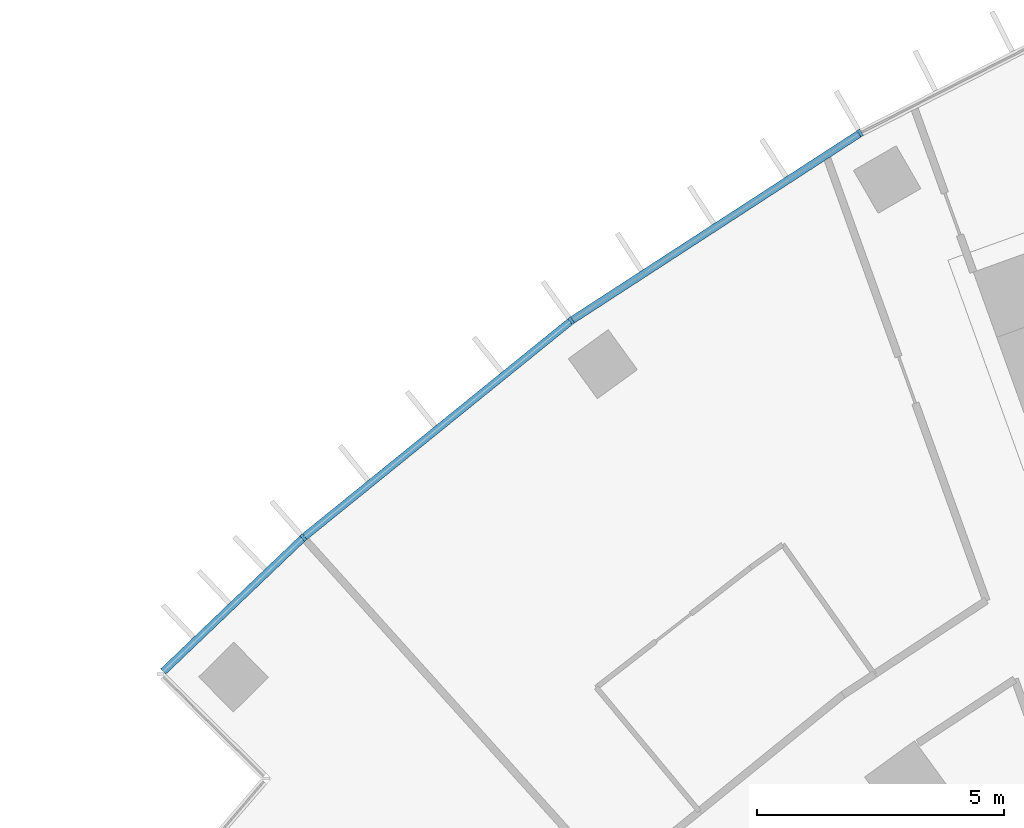
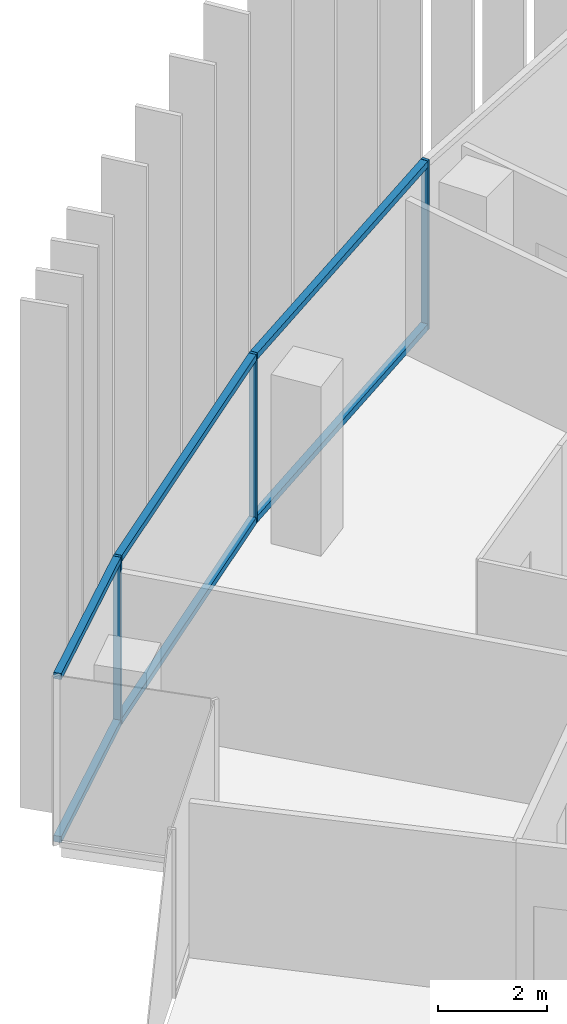
# One storey, part 4 of 23: 9 members, 1 element without a shape of its own.
"""IFC4 building model written with IfcOpenShell, lengths in metres."""

from ifc_helpers import new_model, si_unit, direction, frame, origin, origin_2d, place, context, subcontext, project, spatial, rectangle, extrude, material, layer, layer_set, material_profile, profile_set, type_object, element, aggregate, save


model = new_model("IFC4")

# Units and contexts
model_context = context("Model", 3, precision=1e-05, world=origin(), true_north=direction((0.0, 1.0)))
body_context = subcontext(model_context, "Body", "Model", "MODEL_VIEW")
ifc_project = project(units=[si_unit("LENGTHUNIT", "METRE"), si_unit("AREAUNIT", "SQUARE_METRE"), si_unit("VOLUMEUNIT", "CUBIC_METRE"), si_unit("PLANEANGLEUNIT", "RADIAN"), si_unit("MASSUNIT", "GRAM", prefix="KILO")], contexts=[model_context])

# Site, building, storey
site_placement = place(None, origin())
site = spatial("IfcSite", under=ifc_project, at=site_placement, CompositionType="ELEMENT")
building_placement = place(site_placement, origin())
building = spatial("IfcBuilding", under=site, at=building_placement, Name="Stone Belt Terrace Tower", CompositionType="ELEMENT")
storey_placement = place(building_placement, frame((0.0, 0.0, 166.800048828125)))
storey = spatial("IfcBuildingStorey", under=building, at=storey_placement, Name="L40", CompositionType="ELEMENT", Elevation=166.800048828125)

# Curtain wall, members
ifc_material = material(Name="Aluminium 6063-T6 anodised frame", Category="aluminium")
ifc_layer = layer(ifc_material, 0.14990234375)
ifc_layer_set = layer_set([ifc_layer], Name="CW-A unitised convex-face curtain wall")
curtain_wall_type = type_object("IfcCurtainWallType", Name="CW-A unitised convex-face curtain wall", PredefinedType="NOTDEFINED", material=ifc_layer_set)
curtain_wall_placement = place(storey_placement, origin())
curtain_wall = element("IfcCurtainWall", 1, at=curtain_wall_placement, inside=storey, type_object=curtain_wall_type, Name="CW-A convex face L40", PredefinedType="NOTDEFINED")
ifc_material_profile_1 = material_profile(ifc_material, rectangle(XDim=0.14990234375, YDim=0.06005859375, at=origin_2d()), Name="Aluminium 6063-T6 60x150")
ifc_profile_set_1 = profile_set([ifc_material_profile_1], Name="Aluminium 6063-T6 anodised frame")
member_type_1 = type_object("IfcMemberType", Name="CW-A mullion 60 x 150", PredefinedType="MULLION", material=ifc_profile_set_1)
member_1_placement = place(storey_placement, frame((-33.28759765625, 57.65576171875, 0.0), z_axis=(0.0, 0.0, 1.0), x_axis=(0.5, -0.866025403784, 0.0)))
member_1 = element("IfcMember", 2, at=member_1_placement, type_object=member_type_1, Name="CW-A mullion 14", PredefinedType="MULLION", context=body_context, shape_type="SweptSolid", body=[
    extrude(rectangle(XDim=0.14990234375, YDim=0.06005859375, at=origin_2d()), origin(), (0.0, 0.0, 1.0), 3.800048828125),
])
member_2_placement = place(storey_placement, frame((-39.1318359375, 53.8603515625, 0.0), z_axis=(0.0, 0.0, 1.0), x_axis=(0.587785252292, -0.809016994375, 0.0)))
member_2 = element("IfcMember", 3, at=member_2_placement, type_object=member_type_1, Name="CW-A mullion 15", PredefinedType="MULLION", context=body_context, shape_type="SweptSolid", body=[
    extrude(rectangle(XDim=0.14990234375, YDim=0.06005859375, at=origin_2d()), origin(), (0.0, 0.0, 1.0), 3.800048828125),
])
member_3_placement = place(storey_placement, frame((-44.546875, 49.4755859375, 0.0), z_axis=(0.0, 0.0, 1.0), x_axis=(0.660573481499, -0.75076139721, 0.0)))
member_3 = element("IfcMember", 4, at=member_3_placement, type_object=member_type_1, Name="CW-A mullion 16", PredefinedType="MULLION", context=body_context, shape_type="SweptSolid", body=[
    extrude(rectangle(XDim=0.14990234375, YDim=0.06005859375, at=origin_2d()), origin(), (0.0, 0.0, 1.0), 3.800048828125),
])
ifc_material_profile_2 = material_profile(ifc_material, rectangle(XDim=0.14990234375, YDim=0.139892578125, at=origin_2d()), Name="Aluminium 6063-T6 150x140")
ifc_profile_set_2 = profile_set([ifc_material_profile_2], Name="Aluminium 6063-T6 anodised frame")
member_type_2 = type_object("IfcMemberType", Name="CW-A transom 140 x 150", PredefinedType="USERDEFINED", material=ifc_profile_set_2)
member_4_placement = place(storey_placement, frame((-33.31591796875, 57.63720703125, 0.070068359375), z_axis=(-0.83868440714, -0.544617723931, 0.0), x_axis=(0.544617723931, -0.83868440714, 0.0)))
member_4 = element("IfcMember", 5, at=member_4_placement, type_object=member_type_2, Name="CW-A transom 14.1", ObjectType="TRANSOM", PredefinedType="USERDEFINED", context=body_context, shape_type="SweptSolid", body=[
    extrude(rectangle(XDim=0.14990234375, YDim=0.139892578125, at=origin_2d()), origin(), (0.0, 0.0, 1.0), 6.90087890625),
])
member_5_placement = place(storey_placement, frame((-33.31591796875, 57.63720703125, 3.72998046875), z_axis=(-0.83868440714, -0.544617723931, 0.0), x_axis=(0.544617723931, -0.83868440714, 0.0)))
member_5 = element("IfcMember", 6, at=member_5_placement, type_object=member_type_2, Name="CW-A transom 14.2", ObjectType="TRANSOM", PredefinedType="USERDEFINED", context=body_context, shape_type="SweptSolid", body=[
    extrude(rectangle(XDim=0.14990234375, YDim=0.139892578125, at=origin_2d()), origin(), (0.0, 0.0, 1.0), 6.90087890625),
])
member_6_placement = place(storey_placement, frame((-39.158203125, 53.839111328125, 0.070068359375), z_axis=(-0.777141048626, -0.629326457842, 0.0), x_axis=(0.629326457842, -0.777141048626, 0.0)))
member_6 = element("IfcMember", 7, at=member_6_placement, type_object=member_type_2, Name="CW-A transom 15.1", ObjectType="TRANSOM", PredefinedType="USERDEFINED", context=body_context, shape_type="SweptSolid", body=[
    extrude(rectangle(XDim=0.14990234375, YDim=0.139892578125, at=origin_2d()), origin(), (0.0, 0.0, 1.0), 6.900634765625),
])
member_7_placement = place(storey_placement, frame((-39.158203125, 53.839111328125, 3.72998046875), z_axis=(-0.777141048626, -0.629326457842, 0.0), x_axis=(0.629326457842, -0.777141048626, 0.0)))
member_7 = element("IfcMember", 8, at=member_7_placement, type_object=member_type_2, Name="CW-A transom 15.2", ObjectType="TRANSOM", PredefinedType="USERDEFINED", context=body_context, shape_type="SweptSolid", body=[
    extrude(rectangle(XDim=0.14990234375, YDim=0.139892578125, at=origin_2d()), origin(), (0.0, 0.0, 1.0), 6.900634765625),
])
member_8_placement = place(storey_placement, frame((-44.570556640625, 49.45263671875, 0.070068359375), z_axis=(-0.723150258233, -0.690690744124, 0.0), x_axis=(0.690690744124, -0.723150258233, 0.0)))
member_8 = element("IfcMember", 9, at=member_8_placement, type_object=member_type_2, Name="CW-A transom 16.1", ObjectType="TRANSOM", PredefinedType="USERDEFINED", context=body_context, shape_type="SweptSolid", body=[
    extrude(rectangle(XDim=0.14990234375, YDim=0.139892578125, at=origin_2d()), origin(), (0.0, 0.0, 1.0), 3.888671875),
])
member_9_placement = place(storey_placement, frame((-44.570556640625, 49.45263671875, 3.72998046875), z_axis=(-0.723150258233, -0.690690744124, 0.0), x_axis=(0.690690744124, -0.723150258233, 0.0)))
member_9 = element("IfcMember", 10, at=member_9_placement, type_object=member_type_2, Name="CW-A transom 16.2", ObjectType="TRANSOM", PredefinedType="USERDEFINED", context=body_context, shape_type="SweptSolid", body=[
    extrude(rectangle(XDim=0.14990234375, YDim=0.139892578125, at=origin_2d()), origin(), (0.0, 0.0, 1.0), 3.888671875),
])
aggregate(curtain_wall, [member_1, member_2, member_3, member_4, member_5, member_6, member_7, member_8, member_9])

save(model, "model.ifc")
